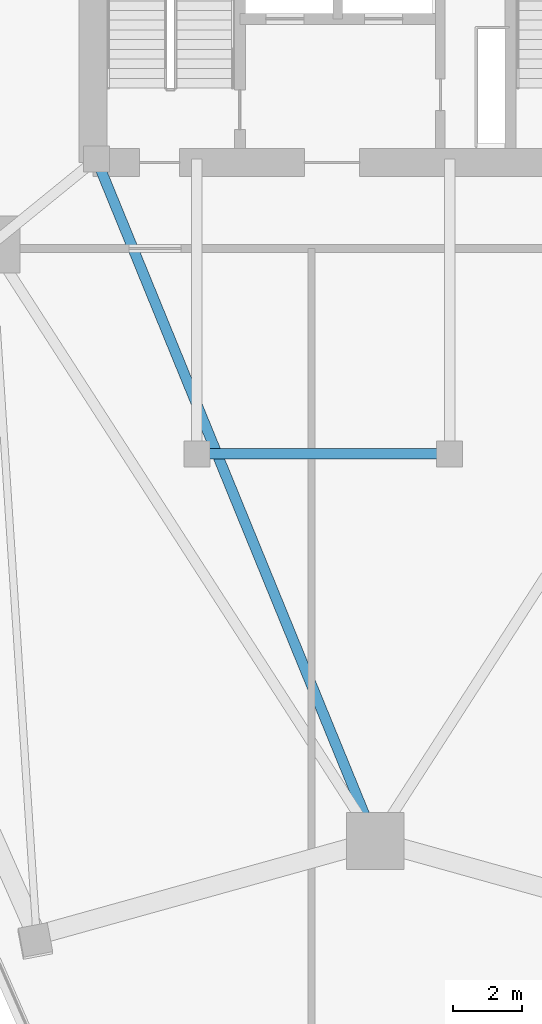
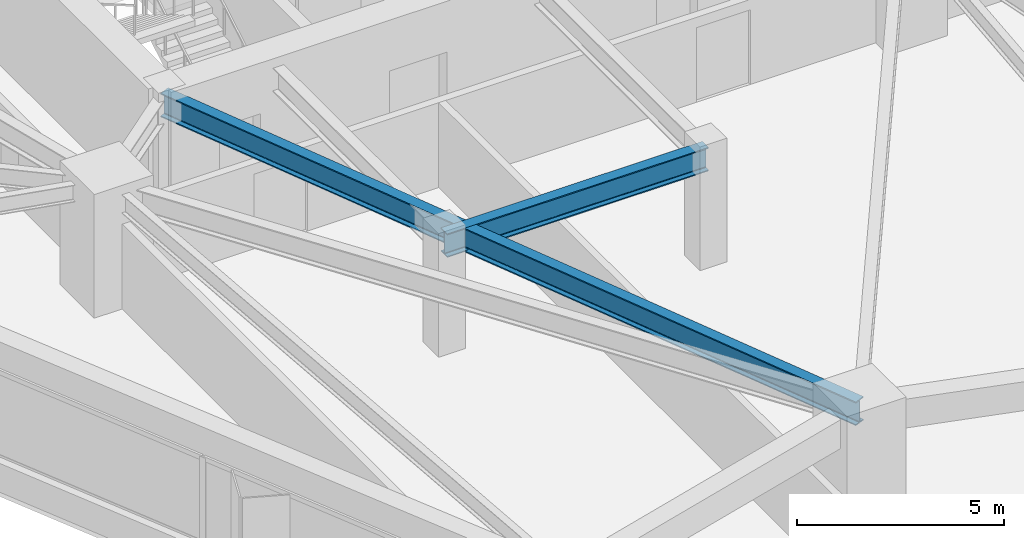
# One storey, part 3 of 16: 2 beams.
"""IFC4 building model written with IfcOpenShell, lengths in metres."""

from ifc_helpers import new_model, si_unit, direction, frame, origin, origin_2d, place, context, subcontext, project, spatial, i_section, extrude, material, material_profile, profile_set, type_object, element, save


model = new_model("IFC4")

# Units and contexts
model_context = context("Model", 3, precision=1e-05, world=origin(), true_north=direction((0.0, 1.0)))
body_context = subcontext(model_context, "Body", "Model", "MODEL_VIEW")
ifc_project = project(units=[si_unit("LENGTHUNIT", "METRE"), si_unit("AREAUNIT", "SQUARE_METRE"), si_unit("VOLUMEUNIT", "CUBIC_METRE"), si_unit("PLANEANGLEUNIT", "RADIAN"), si_unit("MASSUNIT", "GRAM", prefix="KILO")], contexts=[model_context])

# Site, building, storey
site_placement = place(None, origin())
site = spatial("IfcSite", under=ifc_project, at=site_placement, CompositionType="ELEMENT")
building_placement = place(site_placement, origin())
building = spatial("IfcBuilding", under=site, at=building_placement, Name="Talyreon Biosciences Tower", CompositionType="ELEMENT")
storey_placement = place(building_placement, frame((0.0, 0.0, 107.85009765625)))
storey = spatial("IfcBuildingStorey", under=building, at=storey_placement, Name="L28", CompositionType="ELEMENT", Elevation=107.85009765625)

# Beams
ifc_material = material(Name="Steel SM355", Category="steel")
ifc_material_profile = material_profile(ifc_material, i_section(OverallWidth=0.300048828125, OverallDepth=0.699951171875, WebThickness=0.01708984375, FlangeThickness=0.031982421875, FilletRadius=0.027099609375, at=origin_2d()), Name="HE700B")
ifc_profile_set = profile_set([ifc_material_profile], Name="Steel SM355")
beam_type = type_object("IfcBeamType", Name="SteelGirder_HE700B", PredefinedType="BEAM", material=ifc_profile_set)
beam_1_placement = place(storey_placement, frame((57.949951171875, 61.35009765625, 3.02490234375), z_axis=(0.378547014545, -0.925582064314, 0.0), x_axis=(0.925582064314, 0.378547014545, 0.0)))
element("IfcBeam", 1, at=beam_1_placement, inside=storey, type_object=beam_type, Name="L28 Radial Primary Girder 1", PredefinedType="BEAM", context=body_context, shape_type="SweptSolid", body=[
    extrude(i_section(OverallWidth=0.300048828125, OverallDepth=0.699951171875, WebThickness=0.01708984375, FlangeThickness=0.031982421875, FilletRadius=0.027099609375, at=origin_2d()), origin(), (0.0, 0.0, 1.0), 21.265625),
])
beam_2_placement = place(storey_placement, frame((60.85009765625, 52.840087890625, 3.02490234375), z_axis=(1.0, 0.0, 0.0), x_axis=(0.0, 1.0, 0.0)))
element("IfcBeam", 2, at=beam_2_placement, inside=storey, type_object=beam_type, Name="L28 Crown Shaft Spine Girder S", PredefinedType="BEAM", context=body_context, shape_type="SweptSolid", body=[
    extrude(i_section(OverallWidth=0.300048828125, OverallDepth=0.699951171875, WebThickness=0.01708984375, FlangeThickness=0.031982421875, FilletRadius=0.027099609375, at=origin_2d()), origin(), (0.0, 0.0, 1.0), 7.2998046875),
])

save(model, "model.ifc")
